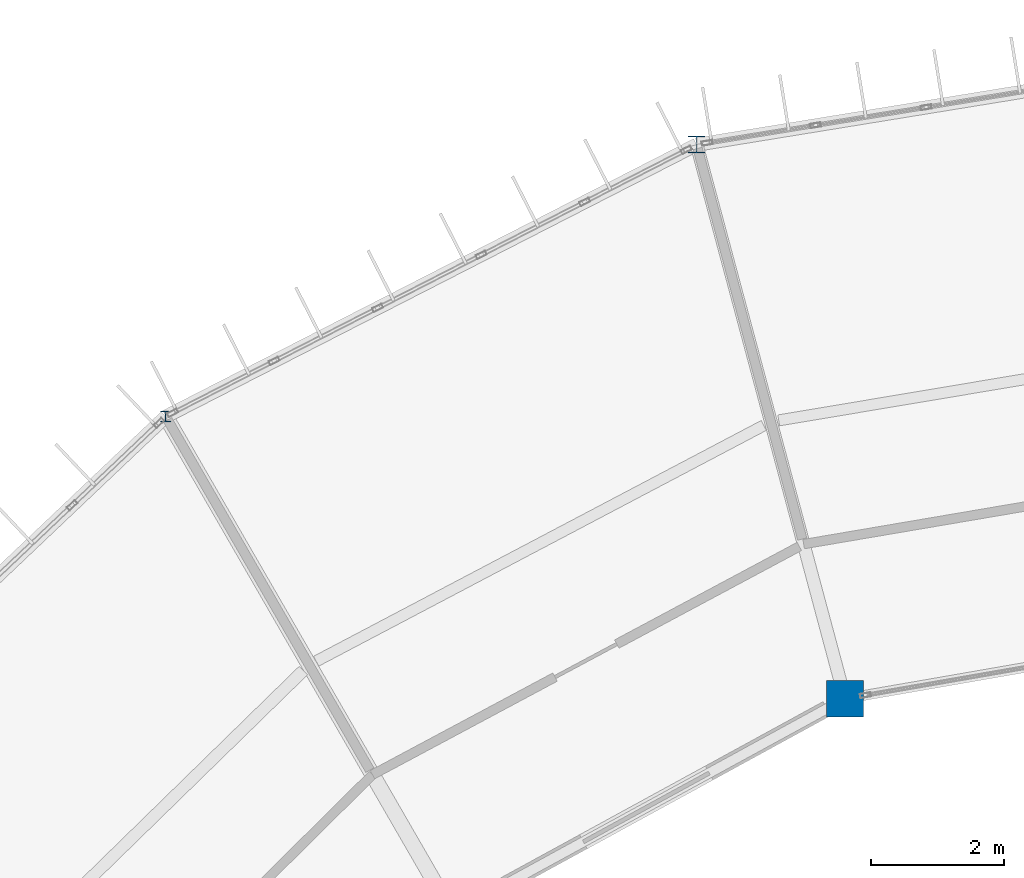
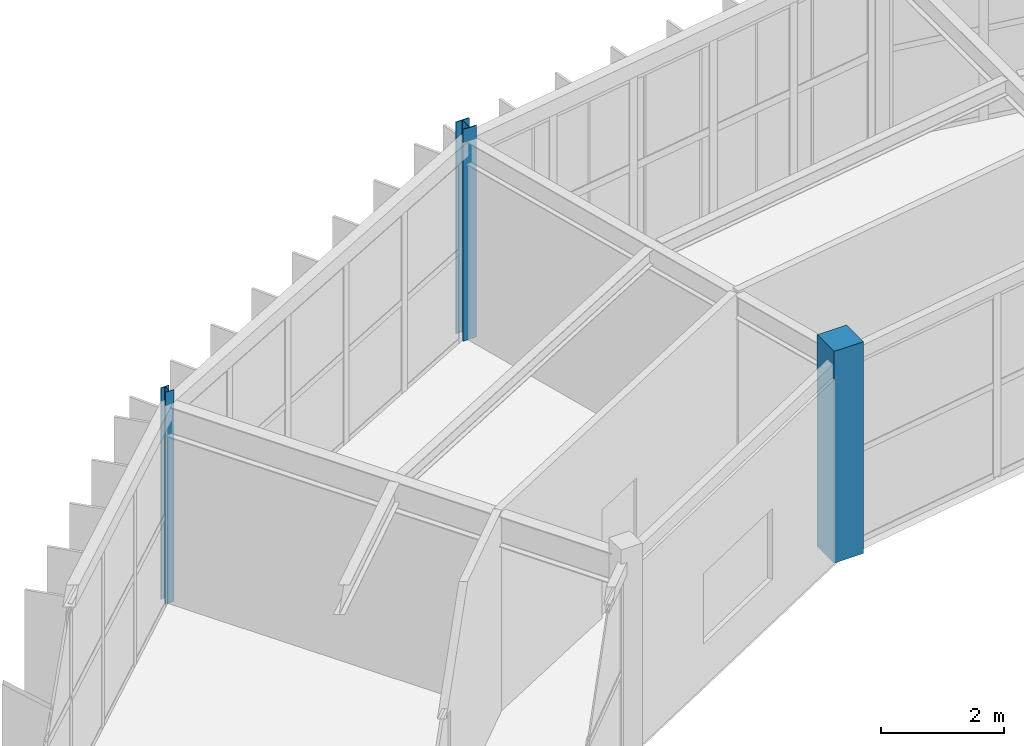
# One storey, part 15 of 157: 3 columns.
"""IFC4 building model written with IfcOpenShell, lengths in metres."""

from ifc_helpers import new_model, si_unit, direction, frame, origin, origin_2d, place, context, subcontext, project, spatial, rectangle, i_section, extrude, material, material_profile, profile_set, type_object, element, save


model = new_model("IFC4")

# Units and contexts
model_context = context("Model", 3, precision=1e-05, world=origin(), true_north=direction((0.0, 1.0)))
body_context = subcontext(model_context, "Body", "Model", "MODEL_VIEW")
ifc_project = project(units=[si_unit("LENGTHUNIT", "METRE"), si_unit("AREAUNIT", "SQUARE_METRE"), si_unit("VOLUMEUNIT", "CUBIC_METRE"), si_unit("PLANEANGLEUNIT", "RADIAN"), si_unit("MASSUNIT", "GRAM", prefix="KILO")], contexts=[model_context])

# Site, building, storey
site_placement = place(None, origin())
site = spatial("IfcSite", under=ifc_project, at=site_placement, CompositionType="ELEMENT")
building_placement = place(site_placement, origin())
building = spatial("IfcBuilding", under=site, at=building_placement, Name="Karori Crest Natural Sciences Institute", CompositionType="ELEMENT")
storey_placement = place(building_placement, frame((0.0, 0.0, 13.300048828125)))
storey = spatial("IfcBuildingStorey", under=building, at=storey_placement, Name="L03", CompositionType="ELEMENT", Elevation=13.300048828125)

# Columns
ifc_material_1 = material(Name="Structural steel AS/NZS 3679.1 Grade 350", Category="steel")
ifc_material_profile_1 = material_profile(ifc_material_1, i_section(OverallWidth=0.25390625, OverallDepth=0.25390625, WebThickness=0.008544921875, FlangeThickness=0.01416015625, FilletRadius=0.013916015625, at=origin_2d()), Name="250UC72.9")
ifc_profile_set_1 = profile_set([ifc_material_profile_1], Name="Structural steel AS/NZS 3679.1 Grade 350")
column_type_1 = type_object("IfcColumnType", Name="CT-07", PredefinedType="COLUMN", material=ifc_profile_set_1)
column_1_placement = place(storey_placement, frame((57.85888671875, 89.309814453125, 0.0), z_axis=(0.0, 0.0, 1.0), x_axis=(1.0, 0.0, 0.0)))
element("IfcColumn", 1, at=column_1_placement, inside=storey, type_object=column_type_1, Name="Column C-0133", PredefinedType="COLUMN", context=body_context, shape_type="SweptSolid", body=[
    extrude(i_section(OverallWidth=0.25390625, OverallDepth=0.25390625, WebThickness=0.008544921875, FlangeThickness=0.01416015625, FilletRadius=0.013916015625, at=origin_2d()), origin(), (0.0, 0.0, 1.0), 4.199951171875),
])
ifc_material_profile_2 = material_profile(ifc_material_1, i_section(OverallWidth=0.154052734375, OverallDepth=0.162109375, WebThickness=0.008056640625, FlangeThickness=0.011474609375, FilletRadius=0.009033203125, at=origin_2d()), Name="150UC37.2")
ifc_profile_set_2 = profile_set([ifc_material_profile_2], Name="Structural steel AS/NZS 3679.1 Grade 350")
column_type_2 = type_object("IfcColumnType", Name="CT-26", PredefinedType="COLUMN", material=ifc_profile_set_2)
column_2_placement = place(storey_placement, frame((49.89990234375, 85.23388671875, 0.0), z_axis=(0.0, 0.0, 1.0), x_axis=(1.0, 0.0, 0.0)))
element("IfcColumn", 2, at=column_2_placement, inside=storey, type_object=column_type_2, Name="Column C-0149", PredefinedType="COLUMN", context=body_context, shape_type="SweptSolid", body=[
    extrude(i_section(OverallWidth=0.154052734375, OverallDepth=0.162109375, WebThickness=0.008056640625, FlangeThickness=0.011474609375, FilletRadius=0.009033203125, at=origin_2d()), origin(), (0.0, 0.0, 1.0), 4.199951171875),
])
ifc_material_2 = material(Name="Concrete 50 MPa", Category="concrete")
ifc_material_profile_3 = material_profile(ifc_material_2, rectangle(XDim=0.550048828125, YDim=0.550048828125, at=origin_2d()), Name="RC550x550")
ifc_profile_set_3 = profile_set([ifc_material_profile_3], Name="Concrete 50 MPa")
column_type_3 = type_object("IfcColumnType", Name="CT-30", PredefinedType="COLUMN", material=ifc_profile_set_3)
column_3_placement = place(storey_placement, frame((60.084716796875, 81.002685546875, 0.0), z_axis=(0.0, 0.0, 1.0), x_axis=(1.0, 0.0, 0.0)))
element("IfcColumn", 3, at=column_3_placement, inside=storey, type_object=column_type_3, Name="Column C-0134", PredefinedType="COLUMN", context=body_context, shape_type="SweptSolid", body=[
    extrude(rectangle(XDim=0.550048828125, YDim=0.550048828125, at=origin_2d()), origin(), (0.0, 0.0, 1.0), 4.199951171875),
])

save(model, "model.ifc")
